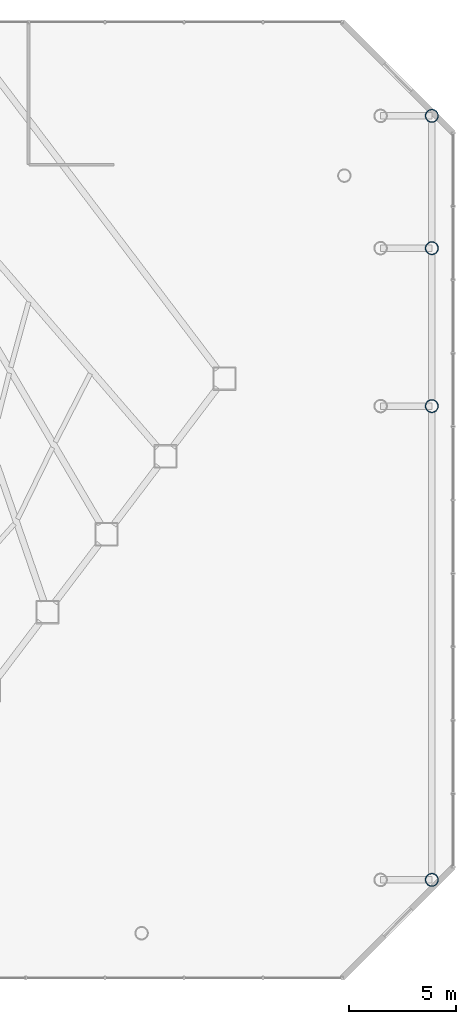
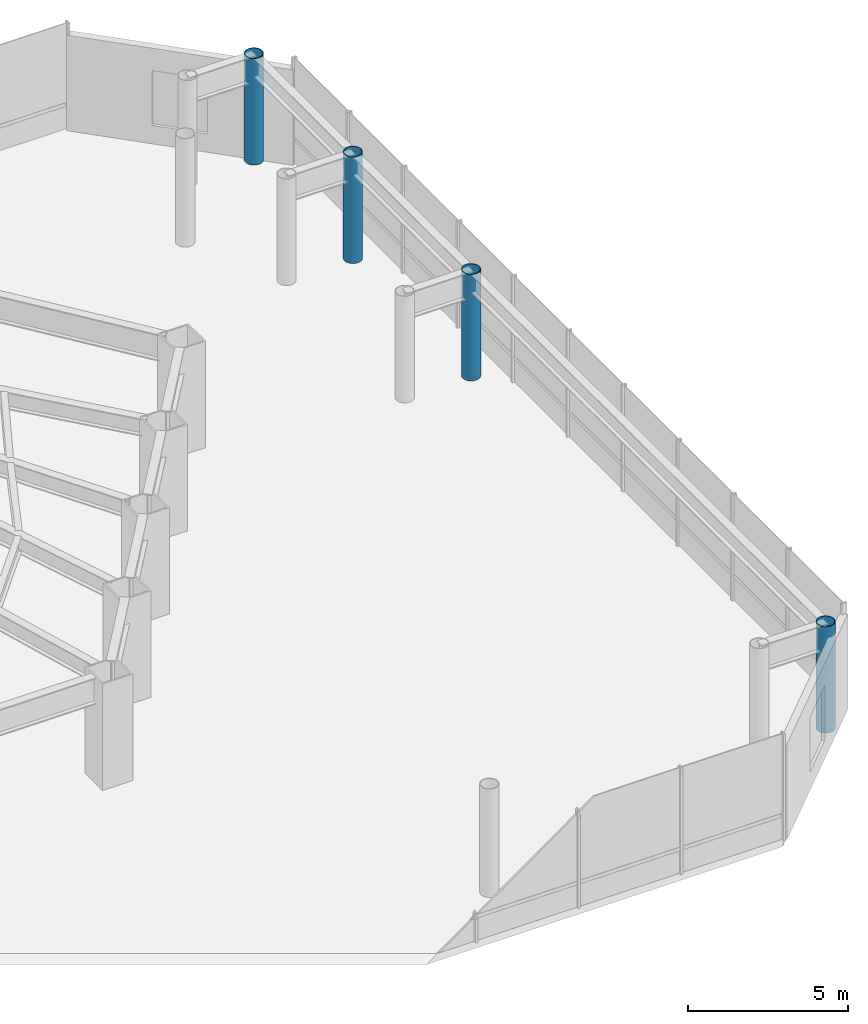
# One storey, part 3 of 33: 4 columns.
"""IFC4 building model written with IfcOpenShell, lengths in metres."""

from ifc_helpers import new_model, si_unit, direction, frame, origin, origin_2d, place, context, subcontext, project, spatial, hollow_circle, extrude, material, material_profile, profile_set, type_object, element, save


model = new_model("IFC4")

# Units and contexts
model_context = context("Model", 3, precision=1e-05, world=origin(), true_north=direction((0.0, 1.0)))
body_context = subcontext(model_context, "Body", "Model", "MODEL_VIEW")
ifc_project = project(units=[si_unit("LENGTHUNIT", "METRE"), si_unit("AREAUNIT", "SQUARE_METRE"), si_unit("VOLUMEUNIT", "CUBIC_METRE"), si_unit("PLANEANGLEUNIT", "RADIAN"), si_unit("MASSUNIT", "GRAM", prefix="KILO")], contexts=[model_context])

# Site, building, storey
site_placement = place(None, origin())
site = spatial("IfcSite", under=ifc_project, at=site_placement, CompositionType="ELEMENT")
building_placement = place(site_placement, origin())
building = spatial("IfcBuilding", under=site, at=building_placement, Name="Zarrinselat Tower", CompositionType="ELEMENT")
storey_placement = place(building_placement, frame((0.0, 0.0, 18.360107421875)))
storey = spatial("IfcBuildingStorey", under=building, at=storey_placement, Name="L04", CompositionType="ELEMENT", Elevation=18.360107421875)

# Columns
ifc_material = material(Name="Steel S355J2", Category="steel")
ifc_material_profile = material_profile(ifc_material, hollow_circle(Radius=0.304931640625, WallThickness=0.02490234375, at=origin_2d()), Name="CHS 610x25")
ifc_profile_set = profile_set([ifc_material_profile], Name="Steel S355J2")
column_type = type_object("IfcColumnType", Name="COL-CHS610", PredefinedType="COLUMN", material=ifc_profile_set)
for number, where, z_axis, x_axis, name in (
    (1, (70.39990234375, 11.0, 0.0), (0.0, 0.0, 1.0), (1.0, 0.0, 0.0), "L04 Podium Outer Column E-11"),
    (2, (70.39990234375, 33.199951171875, 0.0), (0.0, 0.0, 1.0), (1.0, 0.0, 0.0), "L04 Podium Outer Column E-33"),
    (3, (70.39990234375, 40.60009765625, 0.0), (0.0, 0.0, 1.0), (1.0, 0.0, 0.0), "L04 Podium Outer Column E-40"),
    (4, (70.39990234375, 46.800048828125, 0.0), (0.0, 0.0, 1.0), (1.0, 0.0, 0.0), "L04 Podium Outer Column E-46"),
):
    element("IfcColumn", number, at=place(storey_placement, frame(where, z_axis=z_axis, x_axis=x_axis)), inside=storey, type_object=column_type, Name=name, PredefinedType="COLUMN", context=body_context, shape_type="SweptSolid", body=[
        extrude(hollow_circle(Radius=0.304931640625, WallThickness=0.02490234375, at=origin_2d()), origin(), (0.0, 0.0, 1.0), 4.06982421875),
    ])

save(model, "model.ifc")
